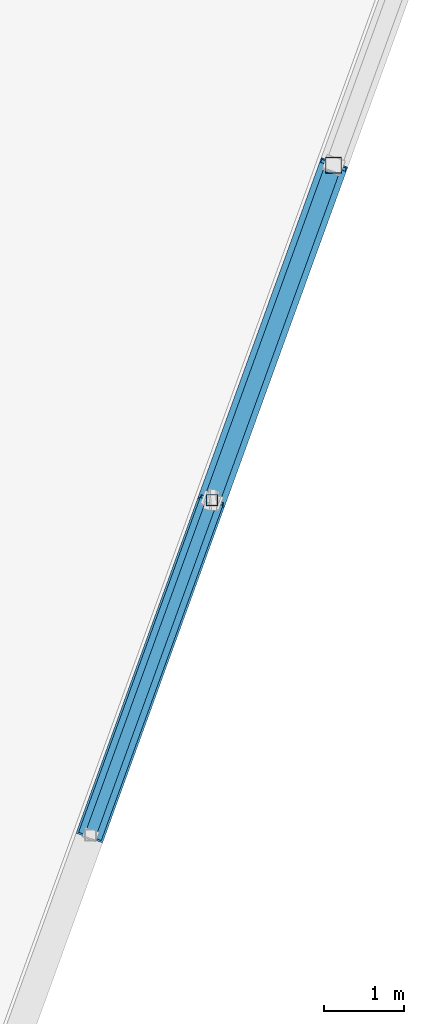
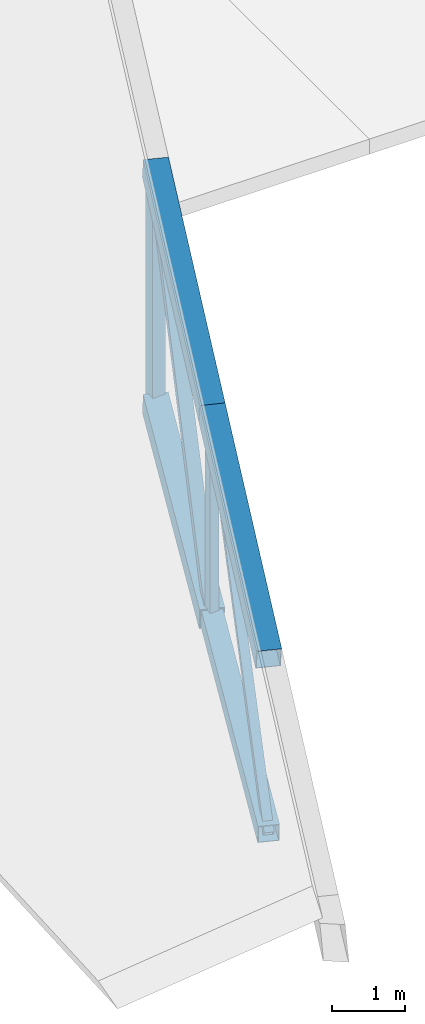
# One storey, part 97 of 188: 8 members.
"""IFC4 building model written with IfcOpenShell, lengths in metres."""

from ifc_helpers import new_model, si_unit, direction, frame, origin, origin_2d, place, context, subcontext, project, spatial, hollow_rectangle, extrude, material, material_profile, profile_set, type_object, element, save


model = new_model("IFC4")

# Units and contexts
model_context = context("Model", 3, precision=1e-05, world=origin(), true_north=direction((0.0, 1.0)))
body_context = subcontext(model_context, "Body", "Model", "MODEL_VIEW")
ifc_project = project(units=[si_unit("LENGTHUNIT", "METRE"), si_unit("AREAUNIT", "SQUARE_METRE"), si_unit("VOLUMEUNIT", "CUBIC_METRE"), si_unit("PLANEANGLEUNIT", "RADIAN"), si_unit("MASSUNIT", "GRAM", prefix="KILO")], contexts=[model_context])

# Site, building, storey
site_placement = place(None, origin())
site = spatial("IfcSite", under=ifc_project, at=site_placement, CompositionType="ELEMENT")
building_placement = place(site_placement, origin())
building = spatial("IfcBuilding", under=site, at=building_placement, Name="Meseta Stadium", CompositionType="ELEMENT")
storey_placement = place(building_placement, frame((0.0, 0.0, 30.0)))
storey = spatial("IfcBuildingStorey", under=building, at=storey_placement, Name="ROOF", CompositionType="ELEMENT", Elevation=30.0)

# Members
ifc_material_1 = material(Name="Steel S355", Category="steel")
ifc_material_profile_1 = material_profile(ifc_material_1, hollow_rectangle(XDim=0.139892578125, YDim=0.139892578125, WallThickness=0.0048828125, at=origin_2d()), Name="SHS 140x140x5")
ifc_profile_set_1 = profile_set([ifc_material_profile_1], Name="Steel S355")
member_type_1 = type_object("IfcMemberType", Name="SHS 140x140x5 diagonal", PredefinedType="BRACE", material=ifc_profile_set_1)
member_1_placement = place(storey_placement, frame((28.411865234375, 78.06396484375, 0.661865234375), z_axis=(0.254454267299, 0.701065094245, 0.6661537056), x_axis=(-0.939999305221, 0.341176356426, 0.0)))
element("IfcMember", 1, at=member_1_placement, inside=storey, type_object=member_type_1, Name="ROOF TRUSS RT-16 diagonal", PredefinedType="BRACE", context=body_context, shape_type="SweptSolid", body=[
    extrude(hollow_rectangle(XDim=0.139892578125, YDim=0.139892578125, WallThickness=0.0048828125, at=origin_2d()), origin(), (0.0, 0.0, 1.0), 5.937255859375),
])
ifc_material_2 = material(Name="Steel S355", Category="steel")
ifc_material_profile_2 = material_profile(ifc_material_2, hollow_rectangle(XDim=0.139892578125, YDim=0.139892578125, WallThickness=0.0048828125, at=origin_2d()), Name="SHS 140x140x5")
ifc_profile_set_2 = profile_set([ifc_material_profile_2], Name="Steel S355")
member_type_2 = type_object("IfcMemberType", Name="SHS 140x140x5 post", PredefinedType="POST", material=ifc_profile_set_2)
member_2_placement = place(storey_placement, frame((29.922607421875, 82.226318359375, 1.1982421875), z_axis=(0.0, 0.0, 1.0), x_axis=(1.0, 0.0, 0.0)))
element("IfcMember", 2, at=member_2_placement, inside=storey, type_object=member_type_2, Name="ROOF TRUSS RT-16 post", PredefinedType="POST", context=body_context, shape_type="SweptSolid", body=[
    extrude(hollow_rectangle(XDim=0.139892578125, YDim=0.139892578125, WallThickness=0.0048828125, at=origin_2d()), origin(), (0.0, 0.0, 1.0), 3.418701171875),
])
ifc_material_3 = material(Name="Steel S355", Category="steel")
ifc_material_profile_3 = material_profile(ifc_material_3, hollow_rectangle(XDim=0.199951171875, YDim=0.199951171875, WallThickness=0.008056640625, at=origin_2d()), Name="SHS 200x200x8")
ifc_profile_set_3 = profile_set([ifc_material_profile_3], Name="Steel S355")
member_type_3 = type_object("IfcMemberType", Name="SHS 200x200x8 diagonal", PredefinedType="BRACE", material=ifc_profile_set_3)
member_3_placement = place(storey_placement, frame((29.922607421875, 82.226318359375, 1.1982421875), z_axis=(0.240386728258, 0.662306614428, 0.709622554153), x_axis=(-0.939999305221, 0.341176356426, 0.0)))
element("IfcMember", 3, at=member_3_placement, inside=storey, type_object=member_type_3, Name="ROOF TRUSS RT-16 diagonal", PredefinedType="BRACE", context=body_context, shape_type="SweptSolid", body=[
    extrude(hollow_rectangle(XDim=0.199951171875, YDim=0.199951171875, WallThickness=0.008056640625, at=origin_2d()), origin(), (0.0, 0.0, 1.0), 6.28466796875),
])
ifc_material_4 = material(Name="Steel S355", Category="steel")
ifc_material_profile_4 = material_profile(ifc_material_4, hollow_rectangle(XDim=0.199951171875, YDim=0.199951171875, WallThickness=0.008056640625, at=origin_2d()), Name="SHS 200x200x8")
ifc_profile_set_4 = profile_set([ifc_material_profile_4], Name="Steel S355")
member_type_4 = type_object("IfcMemberType", Name="SHS 200x200x8 post", PredefinedType="POST", material=ifc_profile_set_4)
member_4_placement = place(storey_placement, frame((31.433349609375, 86.388671875, 1.734619140625), z_axis=(0.0, 0.0, 1.0), x_axis=(1.0, 0.0, 0.0)))
element("IfcMember", 4, at=member_4_placement, inside=storey, type_object=member_type_4, Name="ROOF TRUSS RT-16 post", PredefinedType="POST", context=body_context, shape_type="SweptSolid", body=[
    extrude(hollow_rectangle(XDim=0.199951171875, YDim=0.199951171875, WallThickness=0.008056640625, at=origin_2d()), origin(), (0.0, 0.0, 1.0), 3.92333984375),
])
ifc_material_5 = material(Name="Steel S355", Category="steel")
ifc_material_profile_5 = material_profile(ifc_material_5, hollow_rectangle(XDim=0.300048828125, YDim=0.300048828125, WallThickness=0.010009765625, at=origin_2d()), Name="SHS 300x300x10")
ifc_profile_set_5 = profile_set([ifc_material_profile_5], Name="Steel S355")
member_type_5 = type_object("IfcMemberType", Name="SHS 300x300x10 bottom chord", PredefinedType="CHORD", material=ifc_profile_set_5)
member_5_placement = place(storey_placement, frame((28.411865234375, 78.06396484375, 0.661865234375), z_axis=(0.338700537674, 0.933178000454, 0.120252921989), x_axis=(-0.939999305221, 0.341176356426, 0.0)))
element("IfcMember", 5, at=member_5_placement, inside=storey, type_object=member_type_5, Name="ROOF TRUSS RT-16 bottom chord", PredefinedType="CHORD", context=body_context, shape_type="SweptSolid", body=[
    extrude(hollow_rectangle(XDim=0.300048828125, YDim=0.300048828125, WallThickness=0.010009765625, at=origin_2d()), origin(), (0.0, 0.0, 1.0), 4.46044921875),
])
ifc_material_6 = material(Name="Steel S355", Category="steel")
ifc_material_profile_6 = material_profile(ifc_material_6, hollow_rectangle(XDim=0.35009765625, YDim=0.35009765625, WallThickness=0.010009765625, at=origin_2d()), Name="SHS 350x350x10")
ifc_profile_set_6 = profile_set([ifc_material_profile_6], Name="Steel S355")
member_type_6 = type_object("IfcMemberType", Name="SHS 350x350x10 top chord", PredefinedType="CHORD", material=ifc_profile_set_6)
for number, where, z_axis, x_axis, name in (
    (6, (28.411865234375, 78.06396484375, 3.575927734375), (0.332121563749, 0.915051800317, 0.228856875861), (-0.939999305221, 0.341176356426, 0.0), "ROOF TRUSS RT-16 top chord"),
    (7, (29.922607421875, 82.226318359375, 4.616943359375), (0.332121563749, 0.915051800317, 0.228856875861), (-0.939999305221, 0.341176356426, 0.0), "ROOF TRUSS RT-16 top chord"),
):
    element("IfcMember", number, at=place(storey_placement, frame(where, z_axis=z_axis, x_axis=x_axis)), inside=storey, type_object=member_type_6, Name=name, PredefinedType="CHORD", context=body_context, shape_type="SweptSolid", body=[
        extrude(hollow_rectangle(XDim=0.35009765625, YDim=0.35009765625, WallThickness=0.010009765625, at=origin_2d()), origin(), (0.0, 0.0, 1.0), 4.548828125),
    ])
ifc_material_7 = material(Name="Steel S355", Category="steel")
ifc_material_profile_7 = material_profile(ifc_material_7, hollow_rectangle(XDim=0.35009765625, YDim=0.35009765625, WallThickness=0.01416015625, at=origin_2d()), Name="SHS 350x350x14.2")
ifc_profile_set_7 = profile_set([ifc_material_profile_7], Name="Steel S355")
member_type_7 = type_object("IfcMemberType", Name="SHS 350x350x14.2 bottom chord", PredefinedType="CHORD", material=ifc_profile_set_7)
member_6_placement = place(storey_placement, frame((29.922607421875, 82.226318359375, 1.1982421875), z_axis=(0.338700537674, 0.933178000454, 0.120252921989), x_axis=(-0.939999305221, 0.341176356426, 0.0)))
element("IfcMember", 8, at=member_6_placement, inside=storey, type_object=member_type_7, Name="ROOF TRUSS RT-16 bottom chord", PredefinedType="CHORD", context=body_context, shape_type="SweptSolid", body=[
    extrude(hollow_rectangle(XDim=0.35009765625, YDim=0.35009765625, WallThickness=0.01416015625, at=origin_2d()), origin(), (0.0, 0.0, 1.0), 4.46044921875),
])

save(model, "model.ifc")
